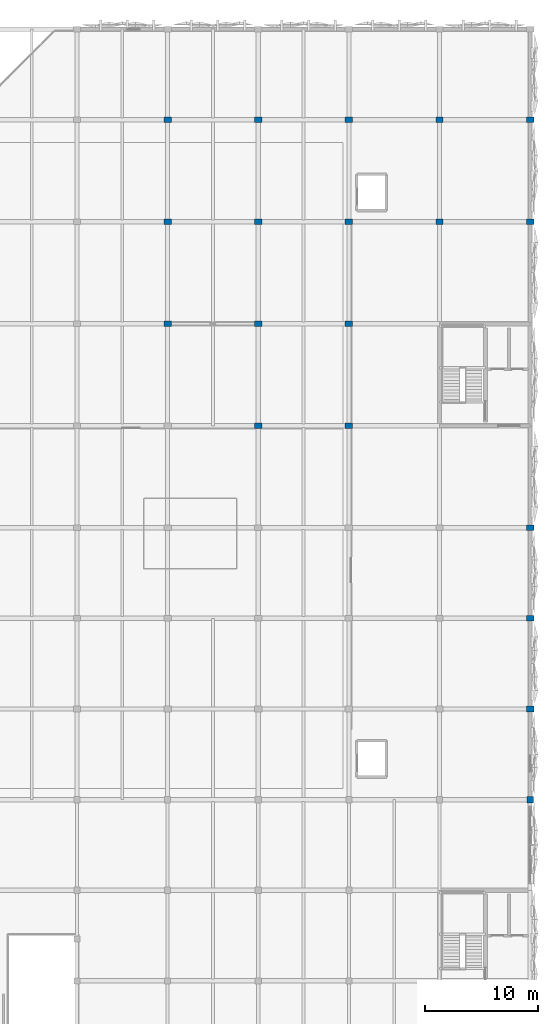
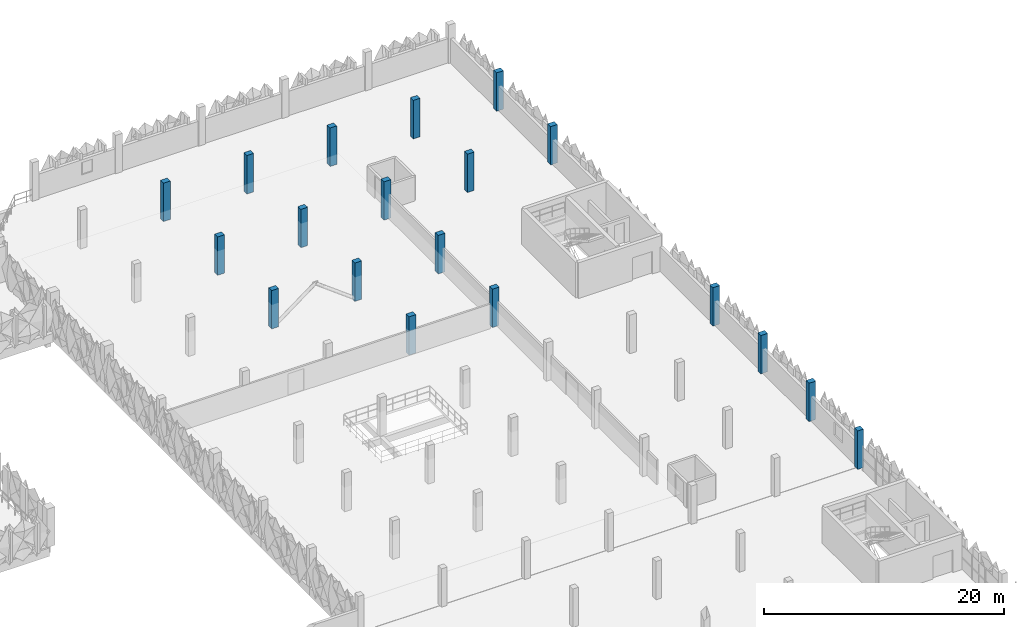
# One storey, part 6 of 83: 19 columns.
"""IFC4 building model written with IfcOpenShell, lengths in metres."""

import ifcopenshell
import ifcopenshell.guid

model = None  # the IFC model being written
_history = None  # IfcOwnerHistory: only IFC2X3 demands one
_inside = {}  # id of a spatial element -> (the spatial element, [elements in it])
_under = {}  # id of a project, library or spatial element -> (it, [spatial elements below it])
_declared = {}  # id of a project -> (the project, [libraries it declares])
_typed = {}  # id of a type object -> (the type object, [elements of that type])
_made_of = {}  # id of a material, layer set ... -> (it, [elements and type objects made of it])


def new_model(schema):
    """Start an empty IFC model of exactly this schema.

    Asked for "IFC4X3", IfcOpenShell would pick the latest addendum, in which some entities
    have other attributes; the version numbers below select the first issue.
    IFC2X3 requires an IfcOwnerHistory on every rooted entity: one is made here for all.
    """
    global model, _history
    if schema == "IFC4X3":
        model = ifcopenshell.file(schema_version=(4, 3, 0, 0))
    else:
        model = ifcopenshell.file(schema=schema)
    _inside.clear()
    _under.clear()
    _declared.clear()
    _typed.clear()
    _made_of.clear()
    _history = None
    if model.schema == "IFC2X3":
        org = make("IfcOrganization", Name="unknown")
        user = make(
            "IfcPersonAndOrganization",
            ThePerson=make("IfcPerson", FamilyName="unknown"),
            TheOrganization=org,
        )
        app = make(
            "IfcApplication",
            ApplicationDeveloper=org,
            Version="unknown",
            ApplicationFullName="unknown",
            ApplicationIdentifier="unknown",
        )
        _history = make(
            "IfcOwnerHistory",
            OwningUser=user,
            OwningApplication=app,
            ChangeAction="ADDED",
            CreationDate=0,
        )
    return model


def make(cls, **values):
    """One entity of the class cls with the attributes given. An attribute that is None is left unset."""
    return model.create_entity(
        cls, **{name: value for name, value in values.items() if value is not None}
    )


def rooted(cls, **values):
    """An entity with a GlobalId (a new one), such as an element, a storey or a relation."""
    return make(cls, GlobalId=ifcopenshell.guid.new(), OwnerHistory=_history, **values)


def si_unit(unit_type, name, prefix=None):
    """IfcSIUnit, for example si_unit("LENGTHUNIT", "METRE", prefix="MILLI")."""
    return make("IfcSIUnit", UnitType=unit_type, Prefix=prefix, Name=name)


def derived_unit(unit_type, elements):
    """IfcDerivedUnit: a product of units, each with its exponent."""
    return make(
        "IfcDerivedUnit",
        Elements=[
            make("IfcDerivedUnitElement", Unit=unit, Exponent=power)
            for unit, power in elements
        ],
        UnitType=unit_type,
    )


def assignment(units):
    """IfcUnitAssignment: the units of a project."""
    return None if units is None else make("IfcUnitAssignment", Units=units)


def point(xyz):
    """IfcCartesianPoint."""
    return None if xyz is None else make("IfcCartesianPoint", Coordinates=xyz)


def direction(xyz):
    """IfcDirection."""
    return None if xyz is None else make("IfcDirection", DirectionRatios=xyz)


def frame(location, z_axis=None, x_axis=None):
    """IfcAxis2Placement3D, a coordinate frame: its origin and axes. An axis left out is left unset."""
    return make(
        "IfcAxis2Placement3D",
        Location=point(location),
        Axis=direction(z_axis),
        RefDirection=direction(x_axis),
    )


def frame_2d(location, x_axis=None):
    """IfcAxis2Placement2D, a coordinate frame in the plane: its origin and x axis."""
    return make(
        "IfcAxis2Placement2D", Location=point(location), RefDirection=direction(x_axis)
    )


def origin():
    """The frame at (0, 0, 0) with its axes left unset."""
    return frame((0.0, 0.0, 0.0))


def origin_2d():
    """The frame at (0, 0) in the plane with its x axis left unset."""
    return frame_2d((0.0, 0.0))


def place(relative_to, where):
    """IfcLocalPlacement: puts the frame where relative to a parent placement (None: the world)."""
    return make(
        "IfcLocalPlacement", PlacementRelTo=relative_to, RelativePlacement=where
    )


def context(
    kind, dimensions, precision=None, world=None, true_north=None, identifier=None
):
    """IfcGeometricRepresentationContext, for example the 3D "Model" context."""
    return make(
        "IfcGeometricRepresentationContext",
        ContextIdentifier=identifier,
        ContextType=kind,
        CoordinateSpaceDimension=dimensions,
        Precision=precision,
        WorldCoordinateSystem=world,
        TrueNorth=true_north,
    )


def subcontext(parent, identifier, kind, view, scale=None):
    """IfcGeometricRepresentationSubContext, for example "Body" below "Model"."""
    return make(
        "IfcGeometricRepresentationSubContext",
        ContextIdentifier=identifier,
        ContextType=kind,
        ParentContext=parent,
        TargetScale=scale,
        TargetView=view,
    )


def project(units=None, contexts=None):
    """IfcProject with its units and contexts."""
    return rooted(
        "IfcProject",
        Name="project",
        RepresentationContexts=contexts,
        UnitsInContext=assignment(units),
    )


def spatial(cls, under=None, at=None, **own):
    """A site, building, storey or space (cls), placed at a placement, below another one or the project."""
    s = rooted(cls, ObjectPlacement=at, **own)
    if under is not None:
        _under.setdefault(under.id(), (under, []))[1].append(s)
    return s


def profile(cls, at=None, kind="AREA", **sizes):
    """A parametric profile (cls). Its sizes go by their IFC names, for example OverallWidth=200.0."""
    return make(cls, ProfileType=kind, Position=at, **sizes)


def rectangle(**sizes):
    """IfcRectangleProfileDef."""
    return profile("IfcRectangleProfileDef", **sizes)


def extrude(swept, where, along, depth):
    """IfcExtrudedAreaSolid: the profile swept, set in the frame where, extruded along a direction by depth."""
    return make(
        "IfcExtrudedAreaSolid",
        SweptArea=swept,
        Position=where,
        ExtrudedDirection=direction(along),
        Depth=depth,
    )


def shape(context_of_items, identifier, shape_type, items):
    """IfcShapeRepresentation: the items that make up one representation, for example the "Body"."""
    return make(
        "IfcShapeRepresentation",
        ContextOfItems=context_of_items,
        RepresentationIdentifier=identifier,
        RepresentationType=shape_type,
        Items=items,
    )


def material(Name=None, Category=None):
    """IfcMaterial."""
    return make("IfcMaterial", Name=Name, Category=Category)


def material_profile(
    of_material, cross_section, Name=None, Category=None, Priority=None
):
    """IfcMaterialProfile: a cross section and its material."""
    return make(
        "IfcMaterialProfile",
        Name=Name,
        Material=of_material,
        Profile=cross_section,
        Priority=Priority,
        Category=Category,
    )


def profile_set(profiles, Name=None, composite=None):
    """IfcMaterialProfileSet."""
    return make(
        "IfcMaterialProfileSet",
        Name=Name,
        MaterialProfiles=profiles,
        CompositeProfile=composite,
    )


def made_of(thing, what):
    """Note that an element or type object is made of a material, layer set ...; save() writes the relation."""
    if what is not None:
        _made_of.setdefault(what.id(), (what, []))[1].append(thing)
    return thing


def type_object(cls, material=None, **own):
    """A type object (cls), such as IfcWallType, which elements share."""
    return made_of(rooted(cls, **own), material)


def element(
    cls,
    number,
    at=None,
    inside=None,
    cuts=None,
    type_object=None,
    material=None,
    context=None,
    identifier="Body",
    shape_type=None,
    held_by="IfcProductDefinitionShape",
    body=None,
    shapes=None,
    **own,
):
    """One element of the class cls, such as IfcWall. Its Tag is "e" and its number.

    at: its placement. inside: the storey or other place that contains it. cuts: it is an
    opening in that element (IfcRelVoidsElement). A single representation is given by context,
    identifier, shape_type and body (its items); several are given by shapes. held_by: the class
    of the entity that holds the representations. save() writes the other relations.
    """
    e = rooted(cls, Tag="e%d" % number, ObjectPlacement=at, **own)
    if body is not None:
        shapes = [shape(context, identifier, shape_type, body)]
    if shapes is not None:
        e.Representation = make(held_by, Representations=shapes)
    if inside is not None:
        _inside.setdefault(inside.id(), (inside, []))[1].append(e)
    if cuts is not None:
        rooted(
            "IfcRelVoidsElement", RelatingBuildingElement=cuts, RelatedOpeningElement=e
        )
    if type_object is not None:
        _typed.setdefault(type_object.id(), (type_object, []))[1].append(e)
    return made_of(e, material)


def aggregate(whole, parts):
    """IfcRelAggregates: a whole, such as a stair, and the parts it consists of."""
    return rooted("IfcRelAggregates", RelatingObject=whole, RelatedObjects=parts)


def save(model, path):
    """Write the relations noted so far, then the file.

    IfcRelAggregates (storeys below a building ...), IfcRelContainedInSpatialStructure (elements
    in a storey), IfcRelDefinesByType, IfcRelAssociatesMaterial and IfcRelDeclares: one each for
    every whole, place, type object, material and project.
    """
    for whole, parts in _under.values():
        aggregate(whole, parts)
    for where, things in _inside.values():
        rooted(
            "IfcRelContainedInSpatialStructure",
            RelatedElements=things,
            RelatingStructure=where,
        )
    for kind, things in _typed.values():
        rooted("IfcRelDefinesByType", RelatedObjects=things, RelatingType=kind)
    for what, things in _made_of.values():
        rooted("IfcRelAssociatesMaterial", RelatedObjects=things, RelatingMaterial=what)
    for by, libraries in _declared.values():
        rooted("IfcRelDeclares", RelatingContext=by, RelatedDefinitions=libraries)
    model.write(path)


model = new_model("IFC4")

# Units and contexts
model_context = context("Model", 3, precision=1e-05, world=origin(), true_north=direction((0.0, 1.0)))
body_context = subcontext(model_context, "Body", "Model", "MODEL_VIEW")
ifc_project = project(units=[si_unit("LENGTHUNIT", "METRE"), si_unit("AREAUNIT", "SQUARE_METRE"), si_unit("VOLUMEUNIT", "CUBIC_METRE"), si_unit("PLANEANGLEUNIT", "RADIAN"), si_unit("MASSUNIT", "GRAM", prefix="KILO"), si_unit("THERMODYNAMICTEMPERATUREUNIT", "KELVIN"), derived_unit("THERMALTRANSMITTANCEUNIT", [(si_unit("POWERUNIT", "WATT"), 1), (si_unit("AREAUNIT", "SQUARE_METRE"), -1), (si_unit("THERMODYNAMICTEMPERATUREUNIT", "KELVIN"), -1)])], contexts=[model_context])

# Site, building, storey
site_placement = place(None, origin())
site = spatial("IfcSite", under=ifc_project, at=site_placement, CompositionType="ELEMENT")
building_placement = place(site_placement, origin())
building = spatial("IfcBuilding", under=site, at=building_placement, Name="Haiyu Intermodal Mobility Hub", CompositionType="ELEMENT")
storey_placement = place(building_placement, frame((0.0, 0.0, 13.39990234375)))
storey = spatial("IfcBuildingStorey", under=building, at=storey_placement, Name="L03", CompositionType="ELEMENT", Elevation=13.39990234375)

# Columns
ifc_material = material(Name="Concrete C40", Category="concrete")
ifc_material_profile_1 = material_profile(ifc_material, rectangle(XDim=0.550048828125, YDim=0.550048828125, at=origin_2d()), Name="RC550x550")
ifc_profile_set_1 = profile_set([ifc_material_profile_1], Name="Concrete C40")
column_type_1 = type_object("IfcColumnType", Name="COL-CC11-EXT", PredefinedType="COLUMN", material=ifc_profile_set_1)
column_placement = place(storey_placement, frame((210.0, 80.0, 0.0), z_axis=(0.0, 0.0, 1.0), x_axis=(1.0, 0.0, 0.0)))
element("IfcColumn", 1, at=column_placement, inside=storey, type_object=column_type_1, Name="Column V5-24J L03", PredefinedType="COLUMN", context=body_context, shape_type="SweptSolid", body=[
    extrude(rectangle(XDim=0.550048828125, YDim=0.550048828125, at=origin_2d()), origin(), (0.0, 0.0, 1.0), 3.900146484375),
])
ifc_material_profile_2 = material_profile(ifc_material, rectangle(XDim=0.64990234375, YDim=0.5, at=origin_2d()), Name="C650x500")
ifc_profile_set_2 = profile_set([ifc_material_profile_2], Name="Concrete C40")
column_type_2 = type_object("IfcColumnType", Name="COL-CC17", PredefinedType="COLUMN", material=ifc_profile_set_2)
for number, where, z_axis, x_axis, name in (
    (2, (178.0, 122.0, 0.0), (0.0, 0.0, 1.0), (1.0, 0.0, 0.0), "Column V6-20P L03"),
    (3, (178.0, 131.0, 0.0), (0.0, 0.0, 1.0), (1.0, 0.0, 0.0), "Column V6-20Q L03"),
    (4, (178.0, 140.0, 0.0), (0.0, 0.0, 1.0), (1.0, 0.0, 0.0), "Column V6-20R L03"),
    (5, (186.0, 113.0, 0.0), (0.0, 0.0, 1.0), (1.0, 0.0, 0.0), "Column V6-21N L03"),
    (6, (186.0, 122.0, 0.0), (0.0, 0.0, 1.0), (1.0, 0.0, 0.0), "Column V6-21P L03"),
    (7, (186.0, 131.0, 0.0), (0.0, 0.0, 1.0), (1.0, 0.0, 0.0), "Column V6-21Q L03"),
    (8, (186.0, 140.0, 0.0), (0.0, 0.0, 1.0), (1.0, 0.0, 0.0), "Column V6-21R L03"),
    (9, (194.0, 113.0, 0.0), (0.0, 0.0, 1.0), (1.0, 0.0, 0.0), "Column V6-22N L03"),
    (10, (194.0, 122.0, 0.0), (0.0, 0.0, 1.0), (1.0, 0.0, 0.0), "Column V6-22P L03"),
    (11, (194.0, 131.0, 0.0), (0.0, 0.0, 1.0), (1.0, 0.0, 0.0), "Column V6-22Q L03"),
    (12, (194.0, 140.0, 0.0), (0.0, 0.0, 1.0), (1.0, 0.0, 0.0), "Column V6-22R L03"),
    (13, (202.0, 131.0, 0.0), (0.0, 0.0, 1.0), (1.0, 0.0, 0.0), "Column V6-23Q L03"),
    (14, (202.0, 140.0, 0.0), (0.0, 0.0, 1.0), (1.0, 0.0, 0.0), "Column V6-23R L03"),
):
    element("IfcColumn", number, at=place(storey_placement, frame(where, z_axis=z_axis, x_axis=x_axis)), inside=storey, type_object=column_type_2, Name=name, PredefinedType="COLUMN", context=body_context, shape_type="SweptSolid", body=[
        extrude(rectangle(XDim=0.64990234375, YDim=0.5, at=origin_2d()), origin(), (0.0, 0.0, 1.0), 3.900146484375),
    ])
ifc_material_profile_3 = material_profile(ifc_material, rectangle(XDim=0.64990234375, YDim=0.5, at=origin_2d()), Name="C650x500")
ifc_profile_set_3 = profile_set([ifc_material_profile_3], Name="Concrete C40")
column_type_3 = type_object("IfcColumnType", Name="COL-CC17-EXT", PredefinedType="COLUMN", material=ifc_profile_set_3)
for number, where, z_axis, x_axis, name in (
    (15, (210.0, 88.0, 0.0), (0.0, 0.0, 1.0), (1.0, 0.0, 0.0), "Column V6-24K L03"),
    (16, (210.0, 96.0, 0.0), (0.0, 0.0, 1.0), (1.0, 0.0, 0.0), "Column V6-24L L03"),
    (17, (210.0, 104.0, 0.0), (0.0, 0.0, 1.0), (1.0, 0.0, 0.0), "Column V6-24M L03"),
    (18, (210.0, 131.0, 0.0), (0.0, 0.0, 1.0), (1.0, 0.0, 0.0), "Column V6-24Q L03"),
    (19, (210.0, 140.0, 0.0), (0.0, 0.0, 1.0), (1.0, 0.0, 0.0), "Column V6-24R L03"),
):
    element("IfcColumn", number, at=place(storey_placement, frame(where, z_axis=z_axis, x_axis=x_axis)), inside=storey, type_object=column_type_3, Name=name, PredefinedType="COLUMN", context=body_context, shape_type="SweptSolid", body=[
        extrude(rectangle(XDim=0.64990234375, YDim=0.5, at=origin_2d()), origin(), (0.0, 0.0, 1.0), 3.900146484375),
    ])

save(model, "model.ifc")
